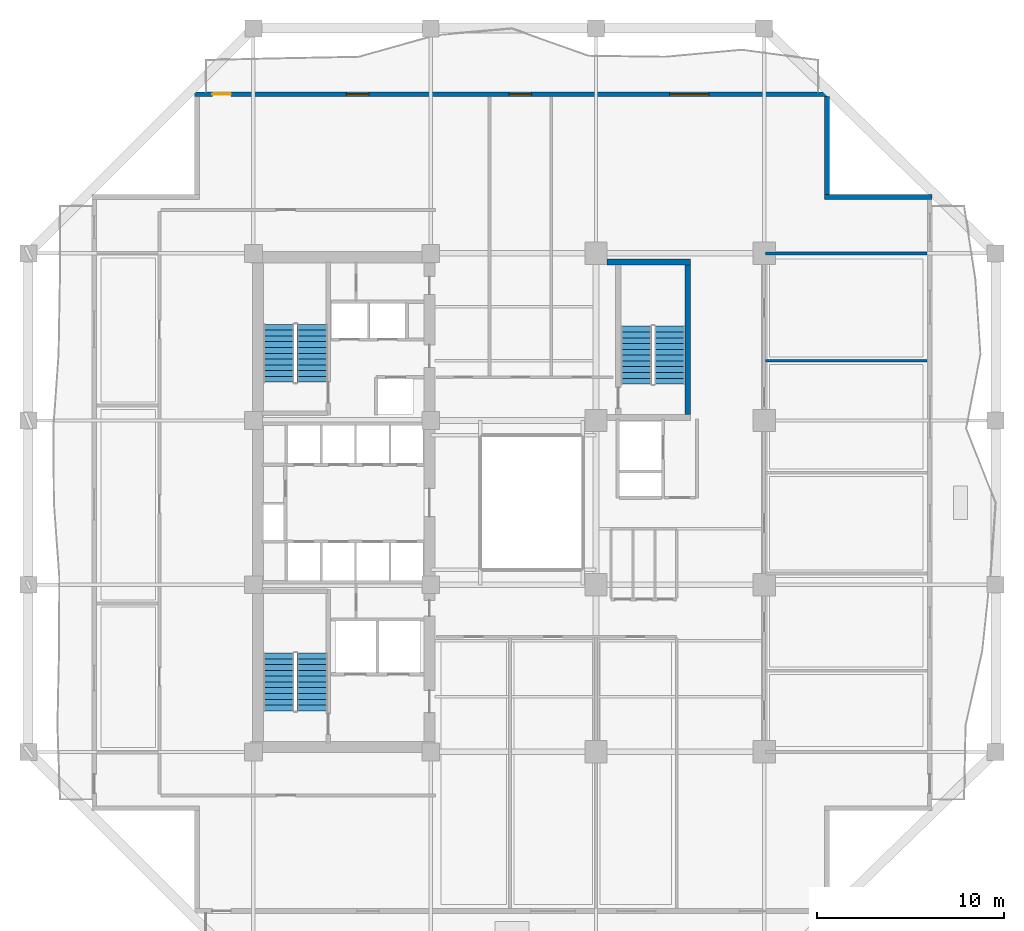
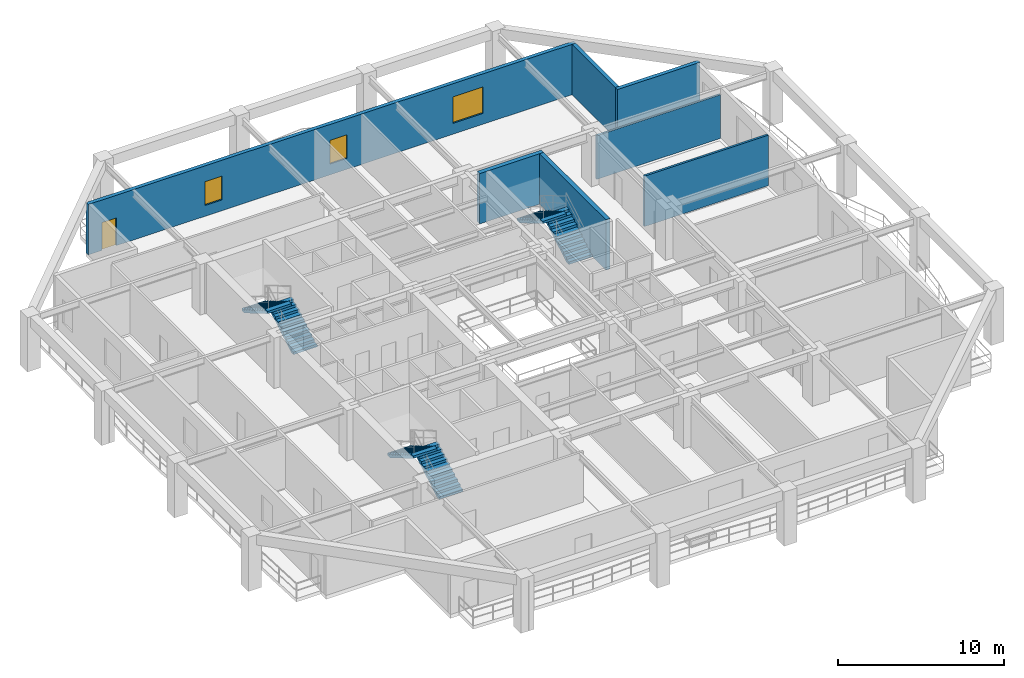
# One storey, part 6 of 13: 7 walls, 6 stair flights, 3 windows, 1 door, 4 openings, 3 elements without a shape of their own.
"""IFC4 building model written with IfcOpenShell, lengths in metres."""

from ifc_helpers import new_model, si_unit, direction, frame, frame_2d, origin, place, context, subcontext, project, spatial, polyline, rectangle, outline, extrude, material, layer, layer_set, type_object, element, fill, aggregate, save


model = new_model("IFC4")

# Units and contexts
model_context = context("Model", 3, precision=1e-05, world=origin(), true_north=direction((0.0, 1.0)))
body_context = subcontext(model_context, "Body", "Model", "MODEL_VIEW")
ifc_project = project(units=[si_unit("LENGTHUNIT", "METRE"), si_unit("AREAUNIT", "SQUARE_METRE"), si_unit("VOLUMEUNIT", "CUBIC_METRE"), si_unit("PLANEANGLEUNIT", "RADIAN"), si_unit("MASSUNIT", "GRAM", prefix="KILO")], contexts=[model_context])

# Site, building, storey
site_placement = place(None, origin())
site = spatial("IfcSite", under=ifc_project, at=site_placement, CompositionType="ELEMENT")
building_placement = place(site_placement, origin())
building = spatial("IfcBuilding", under=site, at=building_placement, Name="Kundavana Baori Tower", CompositionType="ELEMENT")
storey_placement = place(building_placement, frame((0.0, 0.0, 50.0)))
storey = spatial("IfcBuildingStorey", under=building, at=storey_placement, Name="L11", CompositionType="ELEMENT", Elevation=50.0)

# Walls
ifc_material_1 = material(Name="Kiln-Fired Terracotta Brick-Slip Masonry on Concrete C40/50", Category="masonry")
ifc_layer_1 = layer(ifc_material_1, 0.260009765625, Name="WL-EXT-BRK-260")
ifc_layer_set_1 = layer_set([ifc_layer_1], Name="Kiln-Fired Terracotta Brick-Slip Masonry on Concrete C40/50")
wall_type_1 = type_object("IfcWallType", Name="WL-EXT-BRK-260", PredefinedType="SOLIDWALL", material=ifc_layer_set_1)
wall_1_placement = place(storey_placement, frame((51.800048828125, 44.969970703125, 0.0), z_axis=(0.0, 0.0, 1.0), x_axis=(-1.0, 0.0, 0.0)))
element("IfcWall", 1, at=wall_1_placement, inside=storey, type_object=wall_type_1, Name="L11 Exterior Insulated Facade Wall 05", PredefinedType="SOLIDWALL", context=body_context, shape_type="SweptSolid", body=[
    extrude(rectangle(XDim=5.760009765625, YDim=0.260009765625, at=frame_2d((2.8798828125, 0.0))), origin(), (0.0, 0.0, 1.0), 3.719970703125),
])
wall_2_placement = place(storey_placement, frame((46.169921875, 45.10009765625, 0.0), z_axis=(0.0, 0.0, 1.0), x_axis=(0.0, 1.0, 0.0)))
element("IfcWall", 2, at=wall_2_placement, inside=storey, type_object=wall_type_1, Name="L11 Exterior Insulated Facade Wall 06", PredefinedType="SOLIDWALL", context=body_context, shape_type="SweptSolid", body=[
    extrude(rectangle(XDim=5.239990234375, YDim=0.260009765625, at=frame_2d((2.6201171875, 0.0))), origin(), (0.0, 0.0, 1.0), 3.719970703125),
])

# Wall, openings, door, windows
wall_3_placement = place(storey_placement, frame((46.300048828125, 50.469970703125, 0.0), z_axis=(0.0, 0.0, 1.0), x_axis=(-1.0, 0.0, 0.0)))
wall_3 = element("IfcWall", 3, at=wall_3_placement, inside=storey, type_object=wall_type_1, Name="L11 Exterior Insulated Facade Wall 07", PredefinedType="SOLIDWALL", context=body_context, shape_type="SweptSolid", body=[
    extrude(rectangle(XDim=34.0, YDim=0.260009765625, at=frame_2d((17.0, 0.0))), origin(), (0.0, 0.0, 1.0), 3.719970703125),
])
opening_1_placement = place(wall_3_placement, frame((32.050048828125, 0.0, 0.0)))
opening_1 = element("IfcOpeningElement", 4, at=opening_1_placement, cuts=wall_3, Name="Opening BD-1", PredefinedType="OPENING", context=body_context, shape_type="SweptSolid", body=[
    extrude(rectangle(XDim=1.0, YDim=2.050048828125, at=frame_2d((0.5, 1.02490234375))), frame((0.0, 0.14013671875, 0.0), z_axis=(0.0, -1.0, 0.0), x_axis=(1.0, 0.0, 0.0)), (0.0, 0.0, 1.0), 0.280029296875),
])
opening_2_placement = place(wall_3_placement, frame((24.669921875, 0.0, 0.800048828125)))
opening_2 = element("IfcOpeningElement", 5, at=opening_2_placement, cuts=wall_3, Name="Opening W-03", PredefinedType="OPENING", context=body_context, shape_type="SweptSolid", body=[
    extrude(rectangle(XDim=1.199951171875, YDim=1.75, at=frame_2d((0.60009765625, 0.875))), frame((0.0, 0.14013671875, 0.0), z_axis=(0.0, -1.0, 0.0), x_axis=(1.0, 0.0, 0.0)), (0.0, 0.0, 1.0), 0.280029296875),
])
opening_3_placement = place(wall_3_placement, frame((15.949951171875, 0.0, 0.800048828125)))
opening_3 = element("IfcOpeningElement", 6, at=opening_3_placement, cuts=wall_3, Name="Opening W-03", PredefinedType="OPENING", context=body_context, shape_type="SweptSolid", body=[
    extrude(rectangle(XDim=1.199951171875, YDim=1.75, at=frame_2d((0.60009765625, 0.875))), frame((0.0, 0.14013671875, 0.0), z_axis=(0.0, -1.0, 0.0), x_axis=(1.0, 0.0, 0.0)), (0.0, 0.0, 1.0), 0.280029296875),
])
opening_4_placement = place(wall_3_placement, frame((6.455078125, 0.0, 0.800048828125)))
opening_4 = element("IfcOpeningElement", 7, at=opening_4_placement, cuts=wall_3, Name="Opening W-05", PredefinedType="OPENING", context=body_context, shape_type="SweptSolid", body=[
    extrude(rectangle(XDim=2.10009765625, YDim=1.949951171875, at=frame_2d((1.050048828125, 0.97509765625))), frame((0.0, 0.14013671875, 0.0), z_axis=(0.0, -1.0, 0.0), x_axis=(1.0, 0.0, 0.0)), (0.0, 0.0, 1.0), 0.280029296875),
])
ifc_material_2 = material(Name="Architectural Patinated Bronze Metalwork")
door_type = type_object("IfcDoorType", Name="DR-EXT-LOG-1000", OperationType="NOTDEFINED", PredefinedType="DOOR", material=ifc_material_2)
door_placement = place(opening_1_placement, frame((1.0, 0.0, 0.0), z_axis=(0.0, 0.0, 1.0), x_axis=(-1.0, 0.0, 0.0)))
door = element("IfcDoor", 8, at=door_placement, inside=storey, type_object=door_type, Name="L11 Loggia Balcony Access Door N", OperationType="SINGLE_SWING_LEFT", OverallHeight=2.050048828125, OverallWidth=1.0, PredefinedType="DOOR", context=body_context, shape_type="SweptSolid", body=[
    extrude(rectangle(XDim=1.0, YDim=2.050048828125, at=frame_2d((0.5, 1.02490234375))), frame((0.0, 0.02490234375, 0.0), z_axis=(0.0, -1.0, 0.0), x_axis=(1.0, 0.0, 0.0)), (0.0, 0.0, 1.0), 0.050048828125),
])
fill(opening_1, door)
ifc_material_3 = material(Name="Double-Glazed Solar-Control Low-E Insulated Glass", Category="glass")
window_type_1 = type_object("IfcWindowType", Name="WIN-LOG-1200x1750", PartitioningType="SINGLE_PANEL", PredefinedType="WINDOW", material=ifc_material_3)
window_1_placement = place(opening_2_placement, origin())
window_1 = element("IfcWindow", 9, at=window_1_placement, inside=storey, type_object=window_type_1, Name="L11 Recessed Loggia Window N-1", OverallHeight=1.75, OverallWidth=1.199951171875, PartitioningType="SINGLE_PANEL", PredefinedType="WINDOW", context=body_context, shape_type="SweptSolid", body=[
    extrude(rectangle(XDim=1.199951171875, YDim=1.75, at=frame_2d((0.60009765625, 0.875))), frame((0.0, 0.030029296875, 0.0), z_axis=(0.0, -1.0, 0.0), x_axis=(1.0, 0.0, 0.0)), (0.0, 0.0, 1.0), 0.06005859375),
])
fill(opening_2, window_1)
window_2_placement = place(opening_3_placement, origin())
window_2 = element("IfcWindow", 10, at=window_2_placement, inside=storey, type_object=window_type_1, Name="L11 Recessed Loggia Window N-2", OverallHeight=1.75, OverallWidth=1.199951171875, PartitioningType="SINGLE_PANEL", PredefinedType="WINDOW", context=body_context, shape_type="SweptSolid", body=[
    extrude(rectangle(XDim=1.199951171875, YDim=1.75, at=frame_2d((0.60009765625, 0.875))), frame((0.0, 0.030029296875, 0.0), z_axis=(0.0, -1.0, 0.0), x_axis=(1.0, 0.0, 0.0)), (0.0, 0.0, 1.0), 0.06005859375),
])
fill(opening_3, window_2)
ifc_material_4 = material(Name="Double-Glazed Solar-Control Low-E Insulated Glass", Category="glass")
window_type_2 = type_object("IfcWindowType", Name="WIN-LOG-2100x1950", PartitioningType="SINGLE_PANEL", PredefinedType="WINDOW", material=ifc_material_4)
window_3_placement = place(opening_4_placement, origin())
window_3 = element("IfcWindow", 11, at=window_3_placement, inside=storey, type_object=window_type_2, Name="L11 Recessed Loggia Window N-3", OverallHeight=1.949951171875, OverallWidth=2.10009765625, PartitioningType="SINGLE_PANEL", PredefinedType="WINDOW", context=body_context, shape_type="SweptSolid", body=[
    extrude(rectangle(XDim=2.10009765625, YDim=1.949951171875, at=frame_2d((1.050048828125, 0.97509765625))), frame((0.0, 0.030029296875, 0.0), z_axis=(0.0, -1.0, 0.0), x_axis=(1.0, 0.0, 0.0)), (0.0, 0.0, 1.0), 0.06005859375),
])
fill(opening_4, window_3)

# Walls
ifc_material_5 = material(Name="Fire-Rated Gypsum Drywall on Galvanised Steel Studs", Category="steel")
ifc_layer_2 = layer(ifc_material_5, 0.14990234375, Name="WL-PART-150")
ifc_layer_set_2 = layer_set([ifc_layer_2], Name="Fire-Rated Gypsum Drywall on Galvanised Steel Studs")
wall_type_2 = type_object("IfcWallType", Name="WL-PART-150", PredefinedType="PARTITIONING", material=ifc_layer_set_2)
wall_4_placement = place(storey_placement, frame((42.8798828125, 41.949951171875, 0.0), z_axis=(0.0, 0.0, 1.0), x_axis=(1.0, 0.0, 0.0)))
element("IfcWall", 12, at=wall_4_placement, inside=storey, type_object=wall_type_2, Name="WL-L11-OFEN", PredefinedType="PARTITIONING", context=body_context, shape_type="SweptSolid", body=[
    extrude(rectangle(XDim=8.64013671875, YDim=0.14990234375, at=frame_2d((4.320068359375, 0.0))), origin(), (0.0, 0.0, 1.0), 3.219970703125),
])
wall_5_placement = place(storey_placement, frame((42.8798828125, 36.199951171875, 0.0), z_axis=(0.0, 0.0, 1.0), x_axis=(1.0, 0.0, 0.0)))
element("IfcWall", 13, at=wall_5_placement, inside=storey, type_object=wall_type_2, Name="WL-L11-ED4", PredefinedType="PARTITIONING", context=body_context, shape_type="SweptSolid", body=[
    extrude(rectangle(XDim=8.64013671875, YDim=0.14990234375, at=frame_2d((4.320068359375, 0.0))), origin(), (0.0, 0.0, 1.0), 3.719970703125),
])
ifc_material_6 = material(Name="Concrete C50/60", Category="concrete")
ifc_layer_3 = layer(ifc_material_6, 0.300048828125, Name="WL-ST3-300")
ifc_layer_set_3 = layer_set([ifc_layer_3], Name="Concrete C50/60")
wall_type_3 = type_object("IfcWallType", Name="WL-ST3-300", PredefinedType="SHEAR", material=ifc_layer_set_3)
wall_6_placement = place(storey_placement, frame((34.39990234375, 41.489990234375, 0.0), z_axis=(0.0, 0.0, 1.0), x_axis=(1.0, 0.0, 0.0)))
element("IfcWall", 14, at=wall_6_placement, inside=storey, type_object=wall_type_3, Name="L11 Stair ST3 North Shear Wall", PredefinedType="SHEAR", context=body_context, shape_type="SweptSolid", body=[
    extrude(rectangle(XDim=4.47021484375, YDim=0.300048828125, at=frame_2d((2.235107421875, 0.0))), origin(), (0.0, 0.0, 1.0), 3.719970703125),
])
wall_7_placement = place(storey_placement, frame((38.719970703125, 33.31005859375, 0.0), z_axis=(0.0, 0.0, 1.0), x_axis=(0.0, 1.0, 0.0)))
element("IfcWall", 15, at=wall_7_placement, inside=storey, type_object=wall_type_3, Name="L11 Stair ST3 East Shear Wall", PredefinedType="SHEAR", context=body_context, shape_type="SweptSolid", body=[
    extrude(rectangle(XDim=8.030029296875, YDim=0.300048828125, at=frame_2d((4.01513671875, 0.0))), origin(), (0.0, 0.0, 1.0), 3.719970703125),
])

# Stair, stair flights
ifc_material_7 = material(Name="Concrete C40/50", Category="concrete")
stair_type = type_object("IfcStairType", Name="STR-DOG-1650", PredefinedType="HALF_TURN_STAIR", material=ifc_material_7)
stair_1_placement = place(storey_placement, origin())
stair_1 = element("IfcStair", 16, at=stair_1_placement, inside=storey, type_object=stair_type, Name="L11 Protected Exit Stair ST1", PredefinedType="HALF_TURN_STAIR")
ifc_material_8 = material(Name="Concrete C40/50", Category="concrete")
stair_flight_type = type_object("IfcStairFlightType", Name="SFL-RC-1650", PredefinedType="STRAIGHT", material=ifc_material_8)
stair_flight_1_placement = place(storey_placement, frame((18.614990234375, 17.449951171875, 0.0), z_axis=(0.0, 0.0, 1.0), x_axis=(0.0, 1.0, 0.0)))
stair_flight_1 = element("IfcStairFlight", 17, at=stair_flight_1_placement, type_object=stair_flight_type, Name="ST1 flight 1", NumberOfRisers=11, NumberOfTreads=10, PredefinedType="STRAIGHT", RiserHeight=0.181818182, TreadLength=0.31, context=body_context, shape_type="SweptSolid", body=[
    extrude(outline(polyline([(0.0, 0.0), (0.0, 0.181884765625), (0.31005859375, 0.181884765625), (0.31005859375, 0.363525390625), (0.6201171875, 0.363525390625), (0.6201171875, 0.54541015625), (0.929931640625, 0.54541015625), (0.929931640625, 0.727294921875), (1.239990234375, 0.727294921875), (1.239990234375, 0.9091796875), (1.550048828125, 0.9091796875), (1.550048828125, 1.0908203125), (1.860107421875, 1.0908203125), (1.860107421875, 1.272705078125), (2.169921875, 1.272705078125), (2.169921875, 1.45458984375), (2.47998046875, 1.45458984375), (2.47998046875, 1.636474609375), (2.7900390625, 1.636474609375), (2.7900390625, 1.818115234375), (3.10009765625, 1.818115234375), (3.10009765625, 2.0), (3.10009765625, 1.644287109375), (0.29638671875, 0.0), (0.0, 0.0)])), frame((0.0, 0.824951171875, 0.0), z_axis=(0.0, -1.0, 0.0), x_axis=(1.0, 0.0, 0.0)), (0.0, 0.0, 1.0), 1.64990234375),
])
stair_flight_2_placement = place(storey_placement, frame((16.804931640625, 20.550048828125, 2.0), z_axis=(0.0, 0.0, 1.0), x_axis=(0.0, -1.0, 0.0)))
stair_flight_2 = element("IfcStairFlight", 18, at=stair_flight_2_placement, type_object=stair_flight_type, Name="ST1 flight 2", NumberOfRisers=11, NumberOfTreads=10, PredefinedType="STRAIGHT", RiserHeight=0.181818182, TreadLength=0.31, context=body_context, shape_type="SweptSolid", body=[
    extrude(outline(polyline([(0.0, 0.0), (0.0, 0.181884765625), (0.31005859375, 0.181884765625), (0.31005859375, 0.363525390625), (0.6201171875, 0.363525390625), (0.6201171875, 0.54541015625), (0.929931640625, 0.54541015625), (0.929931640625, 0.727294921875), (1.239990234375, 0.727294921875), (1.239990234375, 0.9091796875), (1.550048828125, 0.9091796875), (1.550048828125, 1.0908203125), (1.860107421875, 1.0908203125), (1.860107421875, 1.272705078125), (2.169921875, 1.272705078125), (2.169921875, 1.45458984375), (2.47998046875, 1.45458984375), (2.47998046875, 1.636474609375), (2.7900390625, 1.636474609375), (2.7900390625, 1.818115234375), (3.10009765625, 1.818115234375), (3.10009765625, 2.0), (3.10009765625, 1.644287109375), (0.29638671875, 0.0), (0.0, 0.0)])), frame((0.0, 0.824951171875, 0.0), z_axis=(0.0, -1.0, 0.0), x_axis=(1.0, 0.0, 0.0)), (0.0, 0.0, 1.0), 1.64990234375),
])
aggregate(stair_1, [stair_flight_1, stair_flight_2])

stair_2_placement = place(storey_placement, origin())
stair_2 = element("IfcStair", 19, at=stair_2_placement, inside=storey, type_object=stair_type, Name="L11 Protected Exit Stair ST2", PredefinedType="HALF_TURN_STAIR")
stair_flight_3_placement = place(storey_placement, frame((18.614990234375, 35.050048828125, 0.0), z_axis=(0.0, 0.0, 1.0), x_axis=(0.0, 1.0, 0.0)))
stair_flight_3 = element("IfcStairFlight", 20, at=stair_flight_3_placement, type_object=stair_flight_type, Name="ST2 flight 1", NumberOfRisers=11, NumberOfTreads=10, PredefinedType="STRAIGHT", RiserHeight=0.181818182, TreadLength=0.31, context=body_context, shape_type="SweptSolid", body=[
    extrude(outline(polyline([(0.0, 0.0), (0.0, 0.181884765625), (0.31005859375, 0.181884765625), (0.31005859375, 0.363525390625), (0.6201171875, 0.363525390625), (0.6201171875, 0.54541015625), (0.929931640625, 0.54541015625), (0.929931640625, 0.727294921875), (1.239990234375, 0.727294921875), (1.239990234375, 0.9091796875), (1.550048828125, 0.9091796875), (1.550048828125, 1.0908203125), (1.860107421875, 1.0908203125), (1.860107421875, 1.272705078125), (2.169921875, 1.272705078125), (2.169921875, 1.45458984375), (2.47998046875, 1.45458984375), (2.47998046875, 1.636474609375), (2.7900390625, 1.636474609375), (2.7900390625, 1.818115234375), (3.10009765625, 1.818115234375), (3.10009765625, 2.0), (3.10009765625, 1.644287109375), (0.29638671875, 0.0), (0.0, 0.0)])), frame((0.0, 0.824951171875, 0.0), z_axis=(0.0, -1.0, 0.0), x_axis=(1.0, 0.0, 0.0)), (0.0, 0.0, 1.0), 1.64990234375),
])
stair_flight_4_placement = place(storey_placement, frame((16.804931640625, 38.14990234375, 2.0), z_axis=(0.0, 0.0, 1.0), x_axis=(0.0, -1.0, 0.0)))
stair_flight_4 = element("IfcStairFlight", 21, at=stair_flight_4_placement, type_object=stair_flight_type, Name="ST2 flight 2", NumberOfRisers=11, NumberOfTreads=10, PredefinedType="STRAIGHT", RiserHeight=0.181818182, TreadLength=0.31, context=body_context, shape_type="SweptSolid", body=[
    extrude(outline(polyline([(0.0, 0.0), (0.0, 0.181884765625), (0.31005859375, 0.181884765625), (0.31005859375, 0.363525390625), (0.6201171875, 0.363525390625), (0.6201171875, 0.54541015625), (0.929931640625, 0.54541015625), (0.929931640625, 0.727294921875), (1.239990234375, 0.727294921875), (1.239990234375, 0.9091796875), (1.550048828125, 0.9091796875), (1.550048828125, 1.0908203125), (1.860107421875, 1.0908203125), (1.860107421875, 1.272705078125), (2.169921875, 1.272705078125), (2.169921875, 1.45458984375), (2.47998046875, 1.45458984375), (2.47998046875, 1.636474609375), (2.7900390625, 1.636474609375), (2.7900390625, 1.818115234375), (3.10009765625, 1.818115234375), (3.10009765625, 2.0), (3.10009765625, 1.644287109375), (0.29638671875, 0.0), (0.0, 0.0)])), frame((0.0, 0.824951171875, 0.0), z_axis=(0.0, -1.0, 0.0), x_axis=(1.0, 0.0, 0.0)), (0.0, 0.0, 1.0), 1.64990234375),
])
aggregate(stair_2, [stair_flight_3, stair_flight_4])

stair_3_placement = place(storey_placement, origin())
stair_3 = element("IfcStair", 22, at=stair_3_placement, inside=storey, type_object=stair_type, Name="L11 Protected Exit Stair ST3", PredefinedType="HALF_TURN_STAIR")
stair_flight_5_placement = place(storey_placement, frame((37.7548828125, 34.949951171875, 0.0), z_axis=(0.0, 0.0, 1.0), x_axis=(0.0, 1.0, 0.0)))
stair_flight_5 = element("IfcStairFlight", 23, at=stair_flight_5_placement, type_object=stair_flight_type, Name="ST3 flight 1", NumberOfRisers=11, NumberOfTreads=10, PredefinedType="STRAIGHT", RiserHeight=0.181818182, TreadLength=0.31, context=body_context, shape_type="SweptSolid", body=[
    extrude(outline(polyline([(0.0, 0.0), (0.0, 0.181884765625), (0.31005859375, 0.181884765625), (0.31005859375, 0.363525390625), (0.6201171875, 0.363525390625), (0.6201171875, 0.54541015625), (0.929931640625, 0.54541015625), (0.929931640625, 0.727294921875), (1.239990234375, 0.727294921875), (1.239990234375, 0.9091796875), (1.550048828125, 0.9091796875), (1.550048828125, 1.0908203125), (1.860107421875, 1.0908203125), (1.860107421875, 1.272705078125), (2.169921875, 1.272705078125), (2.169921875, 1.45458984375), (2.47998046875, 1.45458984375), (2.47998046875, 1.636474609375), (2.7900390625, 1.636474609375), (2.7900390625, 1.818115234375), (3.10009765625, 1.818115234375), (3.10009765625, 2.0), (3.10009765625, 1.644287109375), (0.29638671875, 0.0), (0.0, 0.0)])), frame((0.0, 0.824951171875, 0.0), z_axis=(0.0, -1.0, 0.0), x_axis=(1.0, 0.0, 0.0)), (0.0, 0.0, 1.0), 1.64990234375),
])
stair_flight_6_placement = place(storey_placement, frame((35.945068359375, 38.050048828125, 2.0), z_axis=(0.0, 0.0, 1.0), x_axis=(0.0, -1.0, 0.0)))
stair_flight_6 = element("IfcStairFlight", 24, at=stair_flight_6_placement, type_object=stair_flight_type, Name="ST3 flight 2", NumberOfRisers=11, NumberOfTreads=10, PredefinedType="STRAIGHT", RiserHeight=0.181818182, TreadLength=0.31, context=body_context, shape_type="SweptSolid", body=[
    extrude(outline(polyline([(0.0, 0.0), (0.0, 0.181884765625), (0.31005859375, 0.181884765625), (0.31005859375, 0.363525390625), (0.6201171875, 0.363525390625), (0.6201171875, 0.54541015625), (0.929931640625, 0.54541015625), (0.929931640625, 0.727294921875), (1.239990234375, 0.727294921875), (1.239990234375, 0.9091796875), (1.550048828125, 0.9091796875), (1.550048828125, 1.0908203125), (1.860107421875, 1.0908203125), (1.860107421875, 1.272705078125), (2.169921875, 1.272705078125), (2.169921875, 1.45458984375), (2.47998046875, 1.45458984375), (2.47998046875, 1.636474609375), (2.7900390625, 1.636474609375), (2.7900390625, 1.818115234375), (3.10009765625, 1.818115234375), (3.10009765625, 2.0), (3.10009765625, 1.644287109375), (0.29638671875, 0.0), (0.0, 0.0)])), frame((0.0, 0.824951171875, 0.0), z_axis=(0.0, -1.0, 0.0), x_axis=(1.0, 0.0, 0.0)), (0.0, 0.0, 1.0), 1.64990234375),
])
aggregate(stair_3, [stair_flight_5, stair_flight_6])

save(model, "model.ifc")
